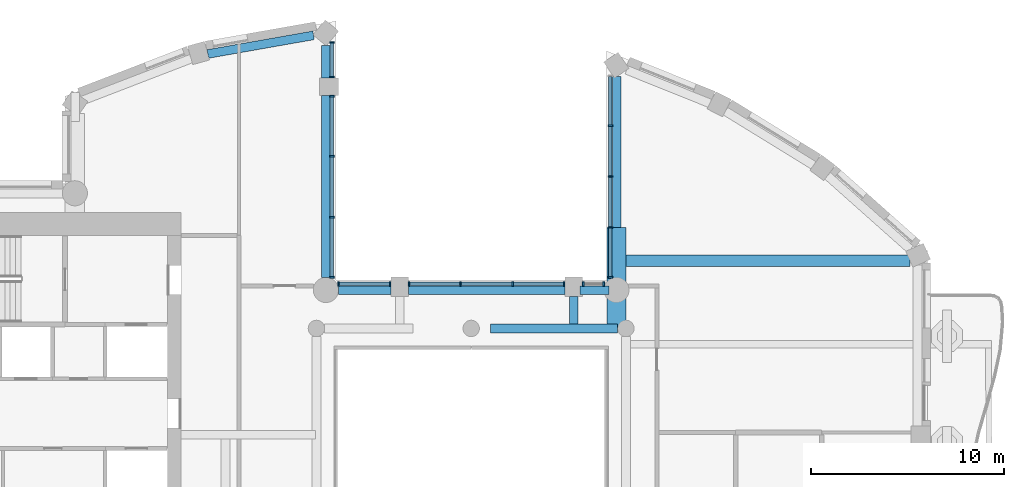
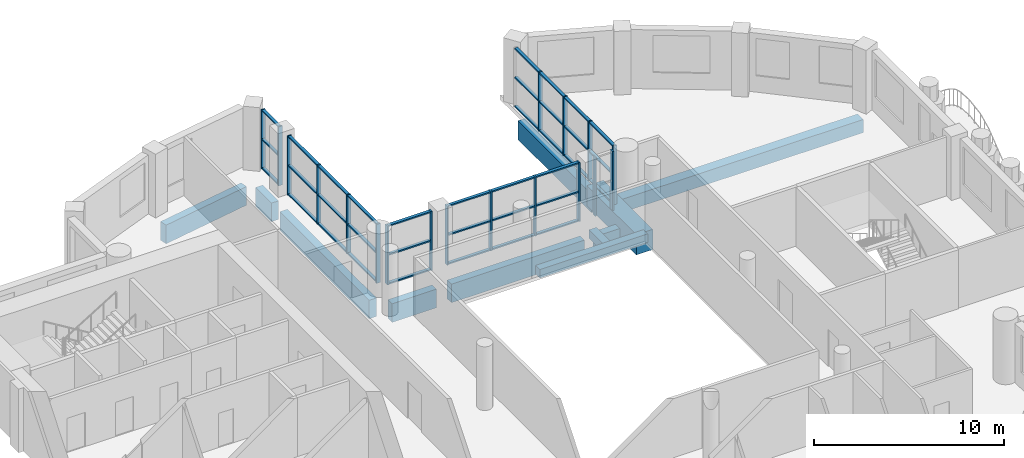
# One storey, part 2 of 15: 54 members, 11 beams, 6 elements without a shape of their own.
"""IFC4 building model written with IfcOpenShell, lengths in metres."""

from ifc_helpers import new_model, si_unit, direction, frame, origin, origin_2d, place, context, subcontext, project, spatial, rectangle, extrude, material, material_profile, profile_set, type_object, element, aggregate, save


model = new_model("IFC4")

# Units and contexts
model_context = context("Model", 3, precision=1e-05, world=origin(), true_north=direction((0.0, 1.0)))
body_context = subcontext(model_context, "Body", "Model", "MODEL_VIEW")
ifc_project = project(units=[si_unit("LENGTHUNIT", "METRE"), si_unit("AREAUNIT", "SQUARE_METRE"), si_unit("VOLUMEUNIT", "CUBIC_METRE"), si_unit("PLANEANGLEUNIT", "RADIAN"), si_unit("MASSUNIT", "GRAM", prefix="KILO")], contexts=[model_context])

# Site, building, storey
site_placement = place(None, origin())
site = spatial("IfcSite", under=ifc_project, at=site_placement, CompositionType="ELEMENT")
building_placement = place(site_placement, origin())
building = spatial("IfcBuilding", under=site, at=building_placement, Name="Cypress Arch Tower", CompositionType="ELEMENT")
storey_placement = place(building_placement, frame((0.0, 0.0, 243.39990234375)))
storey = spatial("IfcBuildingStorey", under=building, at=storey_placement, Name="L54", CompositionType="ELEMENT", Elevation=243.39990234375)

# Beams
ifc_material_1 = material(Name="Concrete C50/60", Category="concrete")
ifc_material_profile_1 = material_profile(ifc_material_1, rectangle(XDim=0.449951171875, YDim=0.550048828125, at=origin_2d()), Name="RC 450x550")
ifc_profile_set_1 = profile_set([ifc_material_profile_1], Name="Concrete C50/60")
beam_type_1 = type_object("IfcBeamType", Name="Floor beam RC 450x550 Concrete C50/60", PredefinedType="BEAM", material=ifc_profile_set_1)
beam_1_placement = place(storey_placement, frame((2.0, 10.0, -0.574951171875), z_axis=(1.0, 0.0, 0.0), x_axis=(0.0, 1.0, 0.0)))
element("IfcBeam", 1, at=beam_1_placement, inside=storey, type_object=beam_type_1, Name="Floor beam L54 RB008", PredefinedType="BEAM", context=body_context, shape_type="SweptSolid", body=[
    extrude(rectangle(XDim=0.449951171875, YDim=0.550048828125, at=origin_2d()), origin(), (0.0, 0.0, 1.0), 6.574951171875),
])
beam_2_placement = place(storey_placement, frame((6.300048828125, 10.22509765625, -0.574951171875), z_axis=(0.0, 1.0, 0.0), x_axis=(-1.0, 0.0, 0.0)))
element("IfcBeam", 2, at=beam_2_placement, inside=storey, type_object=beam_type_1, Name="Floor beam L54 FB014", PredefinedType="BEAM", context=body_context, shape_type="SweptSolid", body=[
    extrude(rectangle(XDim=0.449951171875, YDim=0.550048828125, at=origin_2d()), origin(), (0.0, 0.0, 1.0), 1.4248046875),
])
ifc_material_2 = material(Name="Concrete C50/60", Category="concrete")
ifc_material_profile_2 = material_profile(ifc_material_2, rectangle(XDim=0.60009765625, YDim=0.85009765625, at=origin_2d()), Name="RC 600x850")
ifc_profile_set_2 = profile_set([ifc_material_profile_2], Name="Concrete C50/60")
beam_type_2 = type_object("IfcBeamType", Name="Floor beam RC 600x850 Concrete C50/60", PredefinedType="BEAM", material=ifc_profile_set_2)
beam_3_placement = place(storey_placement, frame((9.01220703125, 13.5, -0.724853515625), z_axis=(1.0, 0.0, 0.0), x_axis=(0.0, 1.0, 0.0)))
element("IfcBeam", 3, at=beam_3_placement, inside=storey, type_object=beam_type_2, Name="Floor beam L54 FB011", PredefinedType="BEAM", context=body_context, shape_type="SweptSolid", body=[
    extrude(rectangle(XDim=0.60009765625, YDim=0.85009765625, at=origin_2d()), origin(), (0.0, 0.0, 1.0), 14.6748046875),
])

# Curtain wall, members
ifc_material_3 = material(Name="Anodised aluminium, bronze finish, clear laminated double glazing", Category="aluminium")
curtain_wall_type = type_object("IfcCurtainWallType", Name="Curtain wall CW7 slot glazing", PredefinedType="NOTDEFINED", material=ifc_material_3)
curtain_wall_1_placement = place(storey_placement, origin())
curtain_wall_1 = element("IfcCurtainWall", 4, at=curtain_wall_1_placement, inside=storey, type_object=curtain_wall_type, Name="Curtain wall L54 slot C00.0", PredefinedType="NOTDEFINED")
ifc_material_4 = material(Name="Anodised aluminium, bronze finish", Category="aluminium")
ifc_material_profile_3 = material_profile(ifc_material_4, rectangle(XDim=0.239990234375, YDim=0.0849609375, at=origin_2d()), Name="Mullion 85x240")
ifc_profile_set_3 = profile_set([ifc_material_profile_3], Name="Anodised aluminium, bronze finish")
member_type_1 = type_object("IfcMemberType", Name="Mullion CW7 85x240", PredefinedType="MULLION", material=ifc_profile_set_3)
member_1_placement = place(storey_placement, frame((8.199951171875, 20.477294921875, 0.0), z_axis=(0.0, 0.0, 1.0), x_axis=(1.0, 0.0, 0.0)))
member_1 = element("IfcMember", 5, at=member_1_placement, type_object=member_type_1, Name="CW7 mullion 2", PredefinedType="MULLION", context=body_context, shape_type="SweptSolid", body=[
    extrude(rectangle(XDim=0.239990234375, YDim=0.0849609375, at=origin_2d()), origin(), (0.0, 0.0, 1.0), 3.800048828125),
])
member_2_placement = place(storey_placement, frame((8.199951171875, 17.85205078125, 0.0), z_axis=(0.0, 0.0, 1.0), x_axis=(1.0, 0.0, 0.0)))
member_2 = element("IfcMember", 6, at=member_2_placement, type_object=member_type_1, Name="CW7 mullion 3", PredefinedType="MULLION", context=body_context, shape_type="SweptSolid", body=[
    extrude(rectangle(XDim=0.239990234375, YDim=0.0849609375, at=origin_2d()), origin(), (0.0, 0.0, 1.0), 3.800048828125),
])
member_3_placement = place(storey_placement, frame((8.199951171875, 15.226806640625, 0.0), z_axis=(0.0, 0.0, 1.0), x_axis=(1.0, 0.0, 0.0)))
member_3 = element("IfcMember", 7, at=member_3_placement, type_object=member_type_1, Name="CW7 mullion 4", PredefinedType="MULLION", context=body_context, shape_type="SweptSolid", body=[
    extrude(rectangle(XDim=0.239990234375, YDim=0.0849609375, at=origin_2d()), origin(), (0.0, 0.0, 1.0), 3.800048828125),
])
member_4_placement = place(storey_placement, frame((8.199951171875, 12.64404296875, 0.0), z_axis=(0.0, 0.0, 1.0), x_axis=(1.0, 0.0, 0.0)))
member_4 = element("IfcMember", 8, at=member_4_placement, type_object=member_type_1, Name="CW7 mullion 5", PredefinedType="MULLION", context=body_context, shape_type="SweptSolid", body=[
    extrude(rectangle(XDim=0.239990234375, YDim=0.0849609375, at=origin_2d()), origin(), (0.0, 0.0, 1.0), 3.800048828125),
])

curtain_wall_2_placement = place(storey_placement, origin())
curtain_wall_2 = element("IfcCurtainWall", 9, at=curtain_wall_2_placement, inside=storey, type_object=curtain_wall_type, Name="Curtain wall L54 slot C01.0", PredefinedType="NOTDEFINED")
member_5_placement = place(storey_placement, frame((7.85595703125, 12.300048828125, 0.0), z_axis=(0.0, 0.0, 1.0), x_axis=(0.0, -1.0, 0.0)))
member_5 = element("IfcMember", 10, at=member_5_placement, type_object=member_type_1, Name="CW7 mullion 1", PredefinedType="MULLION", context=body_context, shape_type="SweptSolid", body=[
    extrude(rectangle(XDim=0.239990234375, YDim=0.0849609375, at=origin_2d()), origin(), (0.0, 0.0, 1.0), 3.800048828125),
])
member_6_placement = place(storey_placement, frame((6.79248046875, 12.300048828125, 0.0), z_axis=(0.0, 0.0, 1.0), x_axis=(0.0, -1.0, 0.0)))
member_6 = element("IfcMember", 11, at=member_6_placement, type_object=member_type_1, Name="CW7 mullion 2", PredefinedType="MULLION", context=body_context, shape_type="SweptSolid", body=[
    extrude(rectangle(XDim=0.239990234375, YDim=0.0849609375, at=origin_2d()), origin(), (0.0, 0.0, 1.0), 3.800048828125),
])
aggregate(curtain_wall_2, [member_5, member_6])

curtain_wall_3_placement = place(storey_placement, origin())
curtain_wall_3 = element("IfcCurtainWall", 12, at=curtain_wall_3_placement, inside=storey, type_object=curtain_wall_type, Name="Curtain wall L54 slot C01.1", PredefinedType="NOTDEFINED")
member_7_placement = place(storey_placement, frame((5.8076171875, 12.300048828125, 0.0), z_axis=(0.0, 0.0, 1.0), x_axis=(0.0, -1.0, 0.0)))
member_7 = element("IfcMember", 13, at=member_7_placement, type_object=member_type_1, Name="CW7 mullion 1", PredefinedType="MULLION", context=body_context, shape_type="SweptSolid", body=[
    extrude(rectangle(XDim=0.239990234375, YDim=0.0849609375, at=origin_2d()), origin(), (0.0, 0.0, 1.0), 3.800048828125),
])
member_8_placement = place(storey_placement, frame((3.14990234375, 12.300048828125, 0.0), z_axis=(0.0, 0.0, 1.0), x_axis=(0.0, -1.0, 0.0)))
member_8 = element("IfcMember", 14, at=member_8_placement, type_object=member_type_1, Name="CW7 mullion 2", PredefinedType="MULLION", context=body_context, shape_type="SweptSolid", body=[
    extrude(rectangle(XDim=0.239990234375, YDim=0.0849609375, at=origin_2d()), origin(), (0.0, 0.0, 1.0), 3.800048828125),
])
member_9_placement = place(storey_placement, frame((0.449951171875, 12.300048828125, 0.0), z_axis=(0.0, 0.0, 1.0), x_axis=(0.0, -1.0, 0.0)))
member_9 = element("IfcMember", 15, at=member_9_placement, type_object=member_type_1, Name="CW7 mullion 3", PredefinedType="MULLION", context=body_context, shape_type="SweptSolid", body=[
    extrude(rectangle(XDim=0.239990234375, YDim=0.0849609375, at=origin_2d()), origin(), (0.0, 0.0, 1.0), 3.800048828125),
])
member_10_placement = place(storey_placement, frame((-2.20751953125, 12.300048828125, 0.0), z_axis=(0.0, 0.0, 1.0), x_axis=(0.0, -1.0, 0.0)))
member_10 = element("IfcMember", 16, at=member_10_placement, type_object=member_type_1, Name="CW7 mullion 4", PredefinedType="MULLION", context=body_context, shape_type="SweptSolid", body=[
    extrude(rectangle(XDim=0.239990234375, YDim=0.0849609375, at=origin_2d()), origin(), (0.0, 0.0, 1.0), 3.800048828125),
])

curtain_wall_4_placement = place(storey_placement, origin())
curtain_wall_4 = element("IfcCurtainWall", 17, at=curtain_wall_4_placement, inside=storey, type_object=curtain_wall_type, Name="Curtain wall L54 slot C01.2", PredefinedType="NOTDEFINED")
member_11_placement = place(storey_placement, frame((-3.1923828125, 12.300048828125, 0.0), z_axis=(0.0, 0.0, 1.0), x_axis=(0.0, -1.0, 0.0)))
member_11 = element("IfcMember", 18, at=member_11_placement, type_object=member_type_1, Name="CW7 mullion 1", PredefinedType="MULLION", context=body_context, shape_type="SweptSolid", body=[
    extrude(rectangle(XDim=0.239990234375, YDim=0.0849609375, at=origin_2d()), origin(), (0.0, 0.0, 1.0), 3.800048828125),
])
member_12_placement = place(storey_placement, frame((-5.85595703125, 12.300048828125, 0.0), z_axis=(0.0, 0.0, 1.0), x_axis=(0.0, -1.0, 0.0)))
member_12 = element("IfcMember", 19, at=member_12_placement, type_object=member_type_1, Name="CW7 mullion 2", PredefinedType="MULLION", context=body_context, shape_type="SweptSolid", body=[
    extrude(rectangle(XDim=0.239990234375, YDim=0.0849609375, at=origin_2d()), origin(), (0.0, 0.0, 1.0), 3.800048828125),
])

curtain_wall_5_placement = place(storey_placement, origin())
curtain_wall_5 = element("IfcCurtainWall", 20, at=curtain_wall_5_placement, inside=storey, type_object=curtain_wall_type, Name="Curtain wall L54 slot C02.0", PredefinedType="NOTDEFINED")
member_13_placement = place(storey_placement, frame((-6.199951171875, 12.64404296875, 0.0), z_axis=(0.0, 0.0, 1.0), x_axis=(-1.0, 0.0, 0.0)))
member_13 = element("IfcMember", 21, at=member_13_placement, type_object=member_type_1, Name="CW7 mullion 1", PredefinedType="MULLION", context=body_context, shape_type="SweptSolid", body=[
    extrude(rectangle(XDim=0.239990234375, YDim=0.0849609375, at=origin_2d()), origin(), (0.0, 0.0, 1.0), 3.800048828125),
])
member_14_placement = place(storey_placement, frame((-6.199951171875, 15.7509765625, 0.0), z_axis=(0.0, 0.0, 1.0), x_axis=(-1.0, 0.0, 0.0)))
member_14 = element("IfcMember", 22, at=member_14_placement, type_object=member_type_1, Name="CW7 mullion 2", PredefinedType="MULLION", context=body_context, shape_type="SweptSolid", body=[
    extrude(rectangle(XDim=0.239990234375, YDim=0.0849609375, at=origin_2d()), origin(), (0.0, 0.0, 1.0), 3.800048828125),
])
member_15_placement = place(storey_placement, frame((-6.199951171875, 18.900390625, 0.0), z_axis=(0.0, 0.0, 1.0), x_axis=(-1.0, 0.0, 0.0)))
member_15 = element("IfcMember", 23, at=member_15_placement, type_object=member_type_1, Name="CW7 mullion 3", PredefinedType="MULLION", context=body_context, shape_type="SweptSolid", body=[
    extrude(rectangle(XDim=0.239990234375, YDim=0.0849609375, at=origin_2d()), origin(), (0.0, 0.0, 1.0), 3.800048828125),
])
member_16_placement = place(storey_placement, frame((-6.199951171875, 22.007568359375, 0.0), z_axis=(0.0, 0.0, 1.0), x_axis=(-1.0, 0.0, 0.0)))
member_16 = element("IfcMember", 24, at=member_16_placement, type_object=member_type_1, Name="CW7 mullion 4", PredefinedType="MULLION", context=body_context, shape_type="SweptSolid", body=[
    extrude(rectangle(XDim=0.239990234375, YDim=0.0849609375, at=origin_2d()), origin(), (0.0, 0.0, 1.0), 3.800048828125),
])

curtain_wall_6_placement = place(storey_placement, origin())
curtain_wall_6 = element("IfcCurtainWall", 25, at=curtain_wall_6_placement, inside=storey, type_object=curtain_wall_type, Name="Curtain wall L54 slot C02.1", PredefinedType="NOTDEFINED")
member_17_placement = place(storey_placement, frame((-6.199951171875, 22.992431640625, 0.0), z_axis=(0.0, 0.0, 1.0), x_axis=(-1.0, 0.0, 0.0)))
member_17 = element("IfcMember", 26, at=member_17_placement, type_object=member_type_1, Name="CW7 mullion 1", PredefinedType="MULLION", context=body_context, shape_type="SweptSolid", body=[
    extrude(rectangle(XDim=0.239990234375, YDim=0.0849609375, at=origin_2d()), origin(), (0.0, 0.0, 1.0), 3.800048828125),
])
member_18_placement = place(storey_placement, frame((-6.199951171875, 24.789794921875, 0.0), z_axis=(0.0, 0.0, 1.0), x_axis=(-1.0, 0.0, 0.0)))
member_18 = element("IfcMember", 27, at=member_18_placement, type_object=member_type_1, Name="CW7 mullion 2", PredefinedType="MULLION", context=body_context, shape_type="SweptSolid", body=[
    extrude(rectangle(XDim=0.239990234375, YDim=0.0849609375, at=origin_2d()), origin(), (0.0, 0.0, 1.0), 3.800048828125),
])

# Beams
ifc_material_5 = material(Name="Concrete C50/60", Category="concrete")
ifc_material_profile_4 = material_profile(ifc_material_5, rectangle(XDim=0.449951171875, YDim=1.199951171875, at=origin_2d()), Name="RC 450x1200")
ifc_profile_set_4 = profile_set([ifc_material_profile_4], Name="Concrete C50/60")
beam_type_3 = type_object("IfcBeamType", Name="Spandrel beam RC 450x1200 Concrete C50/60", PredefinedType="SPANDREL", material=ifc_profile_set_4)
beam_4_placement = place(storey_placement, frame((8.52490234375, 23.017578125, -1.5498046875), z_axis=(0.0, -1.0, 0.0), x_axis=(1.0, 0.0, 0.0)))
element("IfcBeam", 28, at=beam_4_placement, inside=storey, type_object=beam_type_3, Name="Spandrel beam L54 BC00-0", PredefinedType="SPANDREL", context=body_context, shape_type="SweptSolid", body=[
    extrude(rectangle(XDim=0.449951171875, YDim=1.199951171875, at=origin_2d()), origin(), (0.0, 0.0, 1.0), 7.7890625),
])
beam_5_placement = place(storey_placement, frame((8.131103515625, 11.97509765625, -1.5498046875), z_axis=(-1.0, 0.0, 0.0), x_axis=(0.0, -1.0, 0.0)))
element("IfcBeam", 29, at=beam_5_placement, inside=storey, type_object=beam_type_3, Name="Spandrel beam L54 BC01-0", PredefinedType="SPANDREL", context=body_context, shape_type="SweptSolid", body=[
    extrude(rectangle(XDim=0.449951171875, YDim=1.199951171875, at=origin_2d()), origin(), (0.0, 0.0, 1.0), 1.5),
])
beam_6_placement = place(storey_placement, frame((5.85009765625, 11.97509765625, -1.5498046875), z_axis=(-1.0, 0.0, 0.0), x_axis=(0.0, -1.0, 0.0)))
element("IfcBeam", 30, at=beam_6_placement, inside=storey, type_object=beam_type_3, Name="Spandrel beam L54 BC01-1", PredefinedType="SPANDREL", context=body_context, shape_type="SweptSolid", body=[
    extrude(rectangle(XDim=0.449951171875, YDim=1.199951171875, at=origin_2d()), origin(), (0.0, 0.0, 1.0), 8.10009765625),
])
beam_7_placement = place(storey_placement, frame((-3.14990234375, 11.97509765625, -1.5498046875), z_axis=(-1.0, 0.0, 0.0), x_axis=(0.0, -1.0, 0.0)))
element("IfcBeam", 31, at=beam_7_placement, inside=storey, type_object=beam_type_3, Name="Spandrel beam L54 BC01-2", PredefinedType="SPANDREL", context=body_context, shape_type="SweptSolid", body=[
    extrude(rectangle(XDim=0.449951171875, YDim=1.199951171875, at=origin_2d()), origin(), (0.0, 0.0, 1.0), 2.712646484375),
])
beam_8_placement = place(storey_placement, frame((-6.52490234375, 12.637451171875, -1.5498046875), z_axis=(0.0, 1.0, 0.0), x_axis=(-1.0, 0.0, 0.0)))
element("IfcBeam", 32, at=beam_8_placement, inside=storey, type_object=beam_type_3, Name="Spandrel beam L54 BC02-0", PredefinedType="SPANDREL", context=body_context, shape_type="SweptSolid", body=[
    extrude(rectangle(XDim=0.449951171875, YDim=1.199951171875, at=origin_2d()), origin(), (0.0, 0.0, 1.0), 9.41259765625),
])
beam_9_placement = place(storey_placement, frame((-6.52490234375, 22.949951171875, -1.5498046875), z_axis=(0.0, 1.0, 0.0), x_axis=(-1.0, 0.0, 0.0)))
element("IfcBeam", 33, at=beam_9_placement, inside=storey, type_object=beam_type_3, Name="Spandrel beam L54 BC02-1", PredefinedType="SPANDREL", context=body_context, shape_type="SweptSolid", body=[
    extrude(rectangle(XDim=0.449951171875, YDim=1.199951171875, at=origin_2d()), origin(), (0.0, 0.0, 1.0), 1.6796875),
])
beam_10_placement = place(storey_placement, frame((-7.14990234375, 25.154052734375, -1.5498046875), z_axis=(-0.984800388539, -0.173689938494, 0.0), x_axis=(0.173689938494, -0.984800388539, 0.0)))
element("IfcBeam", 34, at=beam_10_placement, inside=storey, type_object=beam_type_3, Name="Spandrel beam L54 BC03-0", PredefinedType="SPANDREL", context=body_context, shape_type="SweptSolid", body=[
    extrude(rectangle(XDim=0.449951171875, YDim=1.199951171875, at=origin_2d()), origin(), (0.0, 0.0, 1.0), 5.5478515625),
])
ifc_material_6 = material(Name="Concrete C80/95", Category="concrete")
ifc_material_profile_5 = material_profile(ifc_material_6, rectangle(XDim=1.0, YDim=1.300048828125, at=origin_2d()), Name="RC 1000x1300")
ifc_profile_set_5 = profile_set([ifc_material_profile_5], Name="Concrete C80/95")
beam_type_4 = type_object("IfcBeamType", Name="Transfer girder RC 1000x1300 Concrete C80/95", PredefinedType="BEAM", material=ifc_profile_set_5)
beam_11_placement = place(storey_placement, frame((8.51220703125, 10.0, -0.949951171875), z_axis=(0.0, 1.0, 0.0), x_axis=(-1.0, 0.0, 0.0)))
element("IfcBeam", 35, at=beam_11_placement, inside=storey, type_object=beam_type_4, Name="Transfer girder L54 CC01", PredefinedType="BEAM", context=body_context, shape_type="SweptSolid", body=[
    extrude(rectangle(XDim=1.0, YDim=1.300048828125, at=origin_2d()), origin(), (0.0, 0.0, 1.0), 5.228515625),
])

# Member
ifc_material_7 = material(Name="Anodised aluminium, bronze finish", Category="aluminium")
ifc_material_profile_6 = material_profile(ifc_material_7, rectangle(XDim=0.179931640625, YDim=0.0849609375, at=origin_2d()), Name="Transom 85x180")
ifc_profile_set_6 = profile_set([ifc_material_profile_6], Name="Anodised aluminium, bronze finish")
member_type_2 = type_object("IfcMemberType", Name="Transom CW7 85x180", PredefinedType="USERDEFINED", material=ifc_profile_set_6)
member_19_placement = place(storey_placement, frame((8.199951171875, 23.017578125, 0.04248046875), z_axis=(0.0, -1.0, 0.0), x_axis=(1.0, 0.0, 0.0)))
member_19 = element("IfcMember", 36, at=member_19_placement, type_object=member_type_2, Name="CW7 transom 1.1", ObjectType="TRANSOM", PredefinedType="USERDEFINED", context=body_context, shape_type="SweptSolid", body=[
    extrude(rectangle(XDim=0.179931640625, YDim=0.0849609375, at=origin_2d()), origin(), (0.0, 0.0, 1.0), 2.497802734375),
])

member_20_placement = place(storey_placement, frame((8.199951171875, 23.017578125, 1.900146484375), z_axis=(0.0, -1.0, 0.0), x_axis=(1.0, 0.0, 0.0)))
member_20 = element("IfcMember", 37, at=member_20_placement, type_object=member_type_2, Name="CW7 transom 1.2", ObjectType="TRANSOM", PredefinedType="USERDEFINED", context=body_context, shape_type="SweptSolid", body=[
    extrude(rectangle(XDim=0.179931640625, YDim=0.0849609375, at=origin_2d()), origin(), (0.0, 0.0, 1.0), 2.497802734375),
])

member_21_placement = place(storey_placement, frame((8.199951171875, 23.017578125, 3.757568359375), z_axis=(0.0, -1.0, 0.0), x_axis=(1.0, 0.0, 0.0)))
member_21 = element("IfcMember", 38, at=member_21_placement, type_object=member_type_2, Name="CW7 transom 1.3", ObjectType="TRANSOM", PredefinedType="USERDEFINED", context=body_context, shape_type="SweptSolid", body=[
    extrude(rectangle(XDim=0.179931640625, YDim=0.0849609375, at=origin_2d()), origin(), (0.0, 0.0, 1.0), 2.497802734375),
])

member_22_placement = place(storey_placement, frame((8.199951171875, 20.434814453125, 0.04248046875), z_axis=(0.0, -1.0, 0.0), x_axis=(1.0, 0.0, 0.0)))
member_22 = element("IfcMember", 39, at=member_22_placement, type_object=member_type_2, Name="CW7 transom 2.1", ObjectType="TRANSOM", PredefinedType="USERDEFINED", context=body_context, shape_type="SweptSolid", body=[
    extrude(rectangle(XDim=0.179931640625, YDim=0.0849609375, at=origin_2d()), origin(), (0.0, 0.0, 1.0), 2.540283203125),
])

member_23_placement = place(storey_placement, frame((8.199951171875, 20.434814453125, 1.900146484375), z_axis=(0.0, -1.0, 0.0), x_axis=(1.0, 0.0, 0.0)))
member_23 = element("IfcMember", 40, at=member_23_placement, type_object=member_type_2, Name="CW7 transom 2.2", ObjectType="TRANSOM", PredefinedType="USERDEFINED", context=body_context, shape_type="SweptSolid", body=[
    extrude(rectangle(XDim=0.179931640625, YDim=0.0849609375, at=origin_2d()), origin(), (0.0, 0.0, 1.0), 2.540283203125),
])

member_24_placement = place(storey_placement, frame((8.199951171875, 20.434814453125, 3.757568359375), z_axis=(0.0, -1.0, 0.0), x_axis=(1.0, 0.0, 0.0)))
member_24 = element("IfcMember", 41, at=member_24_placement, type_object=member_type_2, Name="CW7 transom 2.3", ObjectType="TRANSOM", PredefinedType="USERDEFINED", context=body_context, shape_type="SweptSolid", body=[
    extrude(rectangle(XDim=0.179931640625, YDim=0.0849609375, at=origin_2d()), origin(), (0.0, 0.0, 1.0), 2.540283203125),
])

member_25_placement = place(storey_placement, frame((8.199951171875, 17.8095703125, 0.04248046875), z_axis=(0.0, -1.0, 0.0), x_axis=(1.0, 0.0, 0.0)))
member_25 = element("IfcMember", 42, at=member_25_placement, type_object=member_type_2, Name="CW7 transom 3.1", ObjectType="TRANSOM", PredefinedType="USERDEFINED", context=body_context, shape_type="SweptSolid", body=[
    extrude(rectangle(XDim=0.179931640625, YDim=0.0849609375, at=origin_2d()), origin(), (0.0, 0.0, 1.0), 2.540283203125),
])

member_26_placement = place(storey_placement, frame((8.199951171875, 17.8095703125, 1.900146484375), z_axis=(0.0, -1.0, 0.0), x_axis=(1.0, 0.0, 0.0)))
member_26 = element("IfcMember", 43, at=member_26_placement, type_object=member_type_2, Name="CW7 transom 3.2", ObjectType="TRANSOM", PredefinedType="USERDEFINED", context=body_context, shape_type="SweptSolid", body=[
    extrude(rectangle(XDim=0.179931640625, YDim=0.0849609375, at=origin_2d()), origin(), (0.0, 0.0, 1.0), 2.540283203125),
])

member_27_placement = place(storey_placement, frame((8.199951171875, 17.8095703125, 3.757568359375), z_axis=(0.0, -1.0, 0.0), x_axis=(1.0, 0.0, 0.0)))
member_27 = element("IfcMember", 44, at=member_27_placement, type_object=member_type_2, Name="CW7 transom 3.3", ObjectType="TRANSOM", PredefinedType="USERDEFINED", context=body_context, shape_type="SweptSolid", body=[
    extrude(rectangle(XDim=0.179931640625, YDim=0.0849609375, at=origin_2d()), origin(), (0.0, 0.0, 1.0), 2.540283203125),
])

member_28_placement = place(storey_placement, frame((8.199951171875, 15.184326171875, 0.04248046875), z_axis=(0.0, -1.0, 0.0), x_axis=(1.0, 0.0, 0.0)))
member_28 = element("IfcMember", 45, at=member_28_placement, type_object=member_type_2, Name="CW7 transom 4.1", ObjectType="TRANSOM", PredefinedType="USERDEFINED", context=body_context, shape_type="SweptSolid", body=[
    extrude(rectangle(XDim=0.179931640625, YDim=0.0849609375, at=origin_2d()), origin(), (0.0, 0.0, 1.0), 2.497802734375),
])

member_29_placement = place(storey_placement, frame((8.199951171875, 15.184326171875, 1.900146484375), z_axis=(0.0, -1.0, 0.0), x_axis=(1.0, 0.0, 0.0)))
member_29 = element("IfcMember", 46, at=member_29_placement, type_object=member_type_2, Name="CW7 transom 4.2", ObjectType="TRANSOM", PredefinedType="USERDEFINED", context=body_context, shape_type="SweptSolid", body=[
    extrude(rectangle(XDim=0.179931640625, YDim=0.0849609375, at=origin_2d()), origin(), (0.0, 0.0, 1.0), 2.497802734375),
])

member_30_placement = place(storey_placement, frame((8.199951171875, 15.184326171875, 3.757568359375), z_axis=(0.0, -1.0, 0.0), x_axis=(1.0, 0.0, 0.0)))
member_30 = element("IfcMember", 47, at=member_30_placement, type_object=member_type_2, Name="CW7 transom 4.3", ObjectType="TRANSOM", PredefinedType="USERDEFINED", context=body_context, shape_type="SweptSolid", body=[
    extrude(rectangle(XDim=0.179931640625, YDim=0.0849609375, at=origin_2d()), origin(), (0.0, 0.0, 1.0), 2.497802734375),
])

aggregate(curtain_wall_1, [member_1, member_2, member_3, member_4, member_19, member_20, member_21, member_22, member_23, member_24, member_25, member_26, member_27, member_28, member_29, member_30])

member_31_placement = place(storey_placement, frame((5.764892578125, 12.300048828125, 0.04248046875), z_axis=(-1.0, 0.0, 0.0), x_axis=(0.0, -1.0, 0.0)))
member_31 = element("IfcMember", 48, at=member_31_placement, type_object=member_type_2, Name="CW7 transom 1.1", ObjectType="TRANSOM", PredefinedType="USERDEFINED", context=body_context, shape_type="SweptSolid", body=[
    extrude(rectangle(XDim=0.179931640625, YDim=0.0849609375, at=origin_2d()), origin(), (0.0, 0.0, 1.0), 2.572509765625),
])

member_32_placement = place(storey_placement, frame((5.764892578125, 12.300048828125, 1.900146484375), z_axis=(-1.0, 0.0, 0.0), x_axis=(0.0, -1.0, 0.0)))
member_32 = element("IfcMember", 49, at=member_32_placement, type_object=member_type_2, Name="CW7 transom 1.2", ObjectType="TRANSOM", PredefinedType="USERDEFINED", context=body_context, shape_type="SweptSolid", body=[
    extrude(rectangle(XDim=0.179931640625, YDim=0.0849609375, at=origin_2d()), origin(), (0.0, 0.0, 1.0), 2.572509765625),
])

member_33_placement = place(storey_placement, frame((5.764892578125, 12.300048828125, 3.757568359375), z_axis=(-1.0, 0.0, 0.0), x_axis=(0.0, -1.0, 0.0)))
member_33 = element("IfcMember", 50, at=member_33_placement, type_object=member_type_2, Name="CW7 transom 1.3", ObjectType="TRANSOM", PredefinedType="USERDEFINED", context=body_context, shape_type="SweptSolid", body=[
    extrude(rectangle(XDim=0.179931640625, YDim=0.0849609375, at=origin_2d()), origin(), (0.0, 0.0, 1.0), 2.572509765625),
])

member_34_placement = place(storey_placement, frame((3.107421875, 12.300048828125, 0.04248046875), z_axis=(-1.0, 0.0, 0.0), x_axis=(0.0, -1.0, 0.0)))
member_34 = element("IfcMember", 51, at=member_34_placement, type_object=member_type_2, Name="CW7 transom 2.1", ObjectType="TRANSOM", PredefinedType="USERDEFINED", context=body_context, shape_type="SweptSolid", body=[
    extrude(rectangle(XDim=0.179931640625, YDim=0.0849609375, at=origin_2d()), origin(), (0.0, 0.0, 1.0), 2.614990234375),
])

member_35_placement = place(storey_placement, frame((3.107421875, 12.300048828125, 1.900146484375), z_axis=(-1.0, 0.0, 0.0), x_axis=(0.0, -1.0, 0.0)))
member_35 = element("IfcMember", 52, at=member_35_placement, type_object=member_type_2, Name="CW7 transom 2.2", ObjectType="TRANSOM", PredefinedType="USERDEFINED", context=body_context, shape_type="SweptSolid", body=[
    extrude(rectangle(XDim=0.179931640625, YDim=0.0849609375, at=origin_2d()), origin(), (0.0, 0.0, 1.0), 2.614990234375),
])

member_36_placement = place(storey_placement, frame((3.107421875, 12.300048828125, 3.757568359375), z_axis=(-1.0, 0.0, 0.0), x_axis=(0.0, -1.0, 0.0)))
member_36 = element("IfcMember", 53, at=member_36_placement, type_object=member_type_2, Name="CW7 transom 2.3", ObjectType="TRANSOM", PredefinedType="USERDEFINED", context=body_context, shape_type="SweptSolid", body=[
    extrude(rectangle(XDim=0.179931640625, YDim=0.0849609375, at=origin_2d()), origin(), (0.0, 0.0, 1.0), 2.614990234375),
])

member_37_placement = place(storey_placement, frame((0.407470703125, 12.300048828125, 0.04248046875), z_axis=(-1.0, 0.0, 0.0), x_axis=(0.0, -1.0, 0.0)))
member_37 = element("IfcMember", 54, at=member_37_placement, type_object=member_type_2, Name="CW7 transom 3.1", ObjectType="TRANSOM", PredefinedType="USERDEFINED", context=body_context, shape_type="SweptSolid", body=[
    extrude(rectangle(XDim=0.179931640625, YDim=0.0849609375, at=origin_2d()), origin(), (0.0, 0.0, 1.0), 2.572509765625),
])

member_38_placement = place(storey_placement, frame((0.407470703125, 12.300048828125, 1.900146484375), z_axis=(-1.0, 0.0, 0.0), x_axis=(0.0, -1.0, 0.0)))
member_38 = element("IfcMember", 55, at=member_38_placement, type_object=member_type_2, Name="CW7 transom 3.2", ObjectType="TRANSOM", PredefinedType="USERDEFINED", context=body_context, shape_type="SweptSolid", body=[
    extrude(rectangle(XDim=0.179931640625, YDim=0.0849609375, at=origin_2d()), origin(), (0.0, 0.0, 1.0), 2.572509765625),
])

member_39_placement = place(storey_placement, frame((0.407470703125, 12.300048828125, 3.757568359375), z_axis=(-1.0, 0.0, 0.0), x_axis=(0.0, -1.0, 0.0)))
member_39 = element("IfcMember", 56, at=member_39_placement, type_object=member_type_2, Name="CW7 transom 3.3", ObjectType="TRANSOM", PredefinedType="USERDEFINED", context=body_context, shape_type="SweptSolid", body=[
    extrude(rectangle(XDim=0.179931640625, YDim=0.0849609375, at=origin_2d()), origin(), (0.0, 0.0, 1.0), 2.572509765625),
])

aggregate(curtain_wall_3, [member_7, member_8, member_9, member_10, member_31, member_32, member_33, member_34, member_35, member_36, member_37, member_38, member_39])

member_40_placement = place(storey_placement, frame((-3.235107421875, 12.300048828125, 0.04248046875), z_axis=(-1.0, 0.0, 0.0), x_axis=(0.0, -1.0, 0.0)))
member_40 = element("IfcMember", 57, at=member_40_placement, type_object=member_type_2, Name="CW7 transom 1.1", ObjectType="TRANSOM", PredefinedType="USERDEFINED", context=body_context, shape_type="SweptSolid", body=[
    extrude(rectangle(XDim=0.179931640625, YDim=0.0849609375, at=origin_2d()), origin(), (0.0, 0.0, 1.0), 2.578369140625),
])

member_41_placement = place(storey_placement, frame((-3.235107421875, 12.300048828125, 1.900146484375), z_axis=(-1.0, 0.0, 0.0), x_axis=(0.0, -1.0, 0.0)))
member_41 = element("IfcMember", 58, at=member_41_placement, type_object=member_type_2, Name="CW7 transom 1.2", ObjectType="TRANSOM", PredefinedType="USERDEFINED", context=body_context, shape_type="SweptSolid", body=[
    extrude(rectangle(XDim=0.179931640625, YDim=0.0849609375, at=origin_2d()), origin(), (0.0, 0.0, 1.0), 2.578369140625),
])

member_42_placement = place(storey_placement, frame((-3.235107421875, 12.300048828125, 3.757568359375), z_axis=(-1.0, 0.0, 0.0), x_axis=(0.0, -1.0, 0.0)))
member_42 = element("IfcMember", 59, at=member_42_placement, type_object=member_type_2, Name="CW7 transom 1.3", ObjectType="TRANSOM", PredefinedType="USERDEFINED", context=body_context, shape_type="SweptSolid", body=[
    extrude(rectangle(XDim=0.179931640625, YDim=0.0849609375, at=origin_2d()), origin(), (0.0, 0.0, 1.0), 2.578369140625),
])

aggregate(curtain_wall_4, [member_11, member_12, member_40, member_41, member_42])

member_43_placement = place(storey_placement, frame((-6.199951171875, 12.6865234375, 0.04248046875), z_axis=(0.0, 1.0, 0.0), x_axis=(-1.0, 0.0, 0.0)))
member_43 = element("IfcMember", 60, at=member_43_placement, type_object=member_type_2, Name="CW7 transom 1.1", ObjectType="TRANSOM", PredefinedType="USERDEFINED", context=body_context, shape_type="SweptSolid", body=[
    extrude(rectangle(XDim=0.179931640625, YDim=0.0849609375, at=origin_2d()), origin(), (0.0, 0.0, 1.0), 3.02197265625),
])

member_44_placement = place(storey_placement, frame((-6.199951171875, 12.6865234375, 1.900146484375), z_axis=(0.0, 1.0, 0.0), x_axis=(-1.0, 0.0, 0.0)))
member_44 = element("IfcMember", 61, at=member_44_placement, type_object=member_type_2, Name="CW7 transom 1.2", ObjectType="TRANSOM", PredefinedType="USERDEFINED", context=body_context, shape_type="SweptSolid", body=[
    extrude(rectangle(XDim=0.179931640625, YDim=0.0849609375, at=origin_2d()), origin(), (0.0, 0.0, 1.0), 3.02197265625),
])

member_45_placement = place(storey_placement, frame((-6.199951171875, 12.6865234375, 3.757568359375), z_axis=(0.0, 1.0, 0.0), x_axis=(-1.0, 0.0, 0.0)))
member_45 = element("IfcMember", 62, at=member_45_placement, type_object=member_type_2, Name="CW7 transom 1.3", ObjectType="TRANSOM", PredefinedType="USERDEFINED", context=body_context, shape_type="SweptSolid", body=[
    extrude(rectangle(XDim=0.179931640625, YDim=0.0849609375, at=origin_2d()), origin(), (0.0, 0.0, 1.0), 3.02197265625),
])

member_46_placement = place(storey_placement, frame((-6.199951171875, 15.79345703125, 0.04248046875), z_axis=(0.0, 1.0, 0.0), x_axis=(-1.0, 0.0, 0.0)))
member_46 = element("IfcMember", 63, at=member_46_placement, type_object=member_type_2, Name="CW7 transom 2.1", ObjectType="TRANSOM", PredefinedType="USERDEFINED", context=body_context, shape_type="SweptSolid", body=[
    extrude(rectangle(XDim=0.179931640625, YDim=0.0849609375, at=origin_2d()), origin(), (0.0, 0.0, 1.0), 3.064453125),
])

member_47_placement = place(storey_placement, frame((-6.199951171875, 15.79345703125, 1.900146484375), z_axis=(0.0, 1.0, 0.0), x_axis=(-1.0, 0.0, 0.0)))
member_47 = element("IfcMember", 64, at=member_47_placement, type_object=member_type_2, Name="CW7 transom 2.2", ObjectType="TRANSOM", PredefinedType="USERDEFINED", context=body_context, shape_type="SweptSolid", body=[
    extrude(rectangle(XDim=0.179931640625, YDim=0.0849609375, at=origin_2d()), origin(), (0.0, 0.0, 1.0), 3.064453125),
])

member_48_placement = place(storey_placement, frame((-6.199951171875, 15.79345703125, 3.757568359375), z_axis=(0.0, 1.0, 0.0), x_axis=(-1.0, 0.0, 0.0)))
member_48 = element("IfcMember", 65, at=member_48_placement, type_object=member_type_2, Name="CW7 transom 2.3", ObjectType="TRANSOM", PredefinedType="USERDEFINED", context=body_context, shape_type="SweptSolid", body=[
    extrude(rectangle(XDim=0.179931640625, YDim=0.0849609375, at=origin_2d()), origin(), (0.0, 0.0, 1.0), 3.064453125),
])

member_49_placement = place(storey_placement, frame((-6.199951171875, 18.943115234375, 0.04248046875), z_axis=(0.0, 1.0, 0.0), x_axis=(-1.0, 0.0, 0.0)))
member_49 = element("IfcMember", 66, at=member_49_placement, type_object=member_type_2, Name="CW7 transom 3.1", ObjectType="TRANSOM", PredefinedType="USERDEFINED", context=body_context, shape_type="SweptSolid", body=[
    extrude(rectangle(XDim=0.179931640625, YDim=0.0849609375, at=origin_2d()), origin(), (0.0, 0.0, 1.0), 3.02197265625),
])

member_50_placement = place(storey_placement, frame((-6.199951171875, 18.943115234375, 1.900146484375), z_axis=(0.0, 1.0, 0.0), x_axis=(-1.0, 0.0, 0.0)))
member_50 = element("IfcMember", 67, at=member_50_placement, type_object=member_type_2, Name="CW7 transom 3.2", ObjectType="TRANSOM", PredefinedType="USERDEFINED", context=body_context, shape_type="SweptSolid", body=[
    extrude(rectangle(XDim=0.179931640625, YDim=0.0849609375, at=origin_2d()), origin(), (0.0, 0.0, 1.0), 3.02197265625),
])

member_51_placement = place(storey_placement, frame((-6.199951171875, 18.943115234375, 3.757568359375), z_axis=(0.0, 1.0, 0.0), x_axis=(-1.0, 0.0, 0.0)))
member_51 = element("IfcMember", 68, at=member_51_placement, type_object=member_type_2, Name="CW7 transom 3.3", ObjectType="TRANSOM", PredefinedType="USERDEFINED", context=body_context, shape_type="SweptSolid", body=[
    extrude(rectangle(XDim=0.179931640625, YDim=0.0849609375, at=origin_2d()), origin(), (0.0, 0.0, 1.0), 3.02197265625),
])

aggregate(curtain_wall_5, [member_13, member_14, member_15, member_16, member_43, member_44, member_45, member_46, member_47, member_48, member_49, member_50, member_51])

member_52_placement = place(storey_placement, frame((-6.199951171875, 23.034912109375, 0.04248046875), z_axis=(0.0, 1.0, 0.0), x_axis=(-1.0, 0.0, 0.0)))
member_52 = element("IfcMember", 69, at=member_52_placement, type_object=member_type_2, Name="CW7 transom 1.1", ObjectType="TRANSOM", PredefinedType="USERDEFINED", context=body_context, shape_type="SweptSolid", body=[
    extrude(rectangle(XDim=0.179931640625, YDim=0.0849609375, at=origin_2d()), origin(), (0.0, 0.0, 1.0), 1.71240234375),
])

member_53_placement = place(storey_placement, frame((-6.199951171875, 23.034912109375, 1.900146484375), z_axis=(0.0, 1.0, 0.0), x_axis=(-1.0, 0.0, 0.0)))
member_53 = element("IfcMember", 70, at=member_53_placement, type_object=member_type_2, Name="CW7 transom 1.2", ObjectType="TRANSOM", PredefinedType="USERDEFINED", context=body_context, shape_type="SweptSolid", body=[
    extrude(rectangle(XDim=0.179931640625, YDim=0.0849609375, at=origin_2d()), origin(), (0.0, 0.0, 1.0), 1.71240234375),
])

member_54_placement = place(storey_placement, frame((-6.199951171875, 23.034912109375, 3.757568359375), z_axis=(0.0, 1.0, 0.0), x_axis=(-1.0, 0.0, 0.0)))
member_54 = element("IfcMember", 71, at=member_54_placement, type_object=member_type_2, Name="CW7 transom 1.3", ObjectType="TRANSOM", PredefinedType="USERDEFINED", context=body_context, shape_type="SweptSolid", body=[
    extrude(rectangle(XDim=0.179931640625, YDim=0.0849609375, at=origin_2d()), origin(), (0.0, 0.0, 1.0), 1.71240234375),
])

aggregate(curtain_wall_6, [member_17, member_18, member_52, member_53, member_54])

save(model, "model.ifc")
